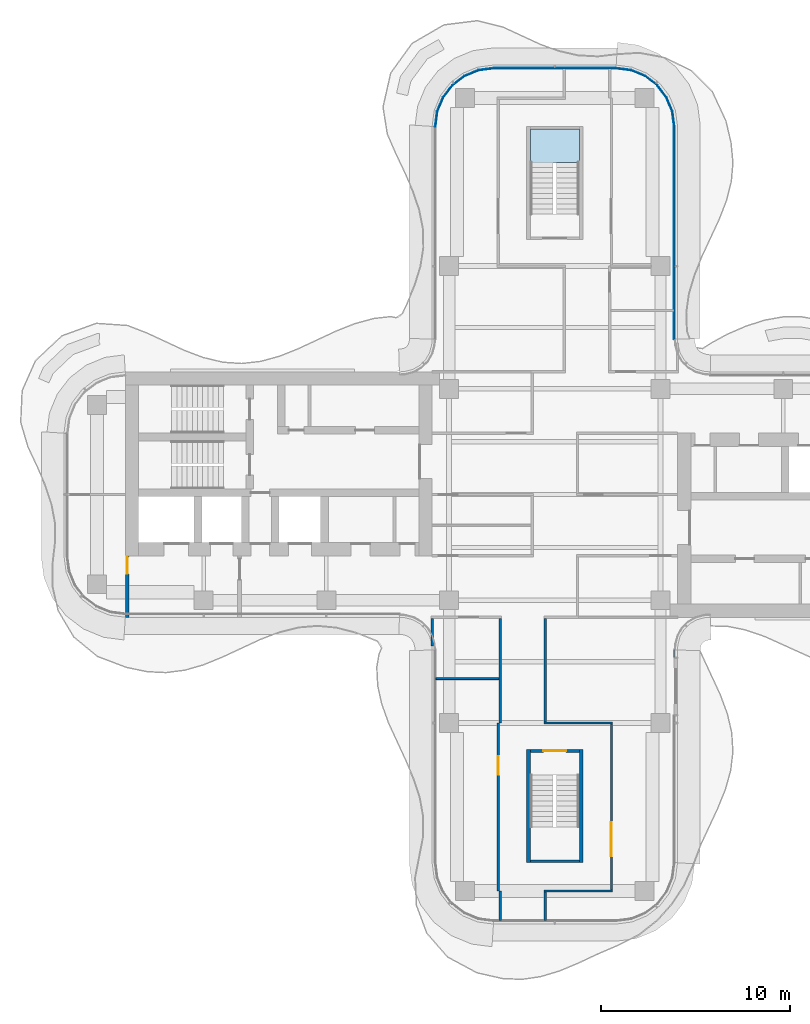
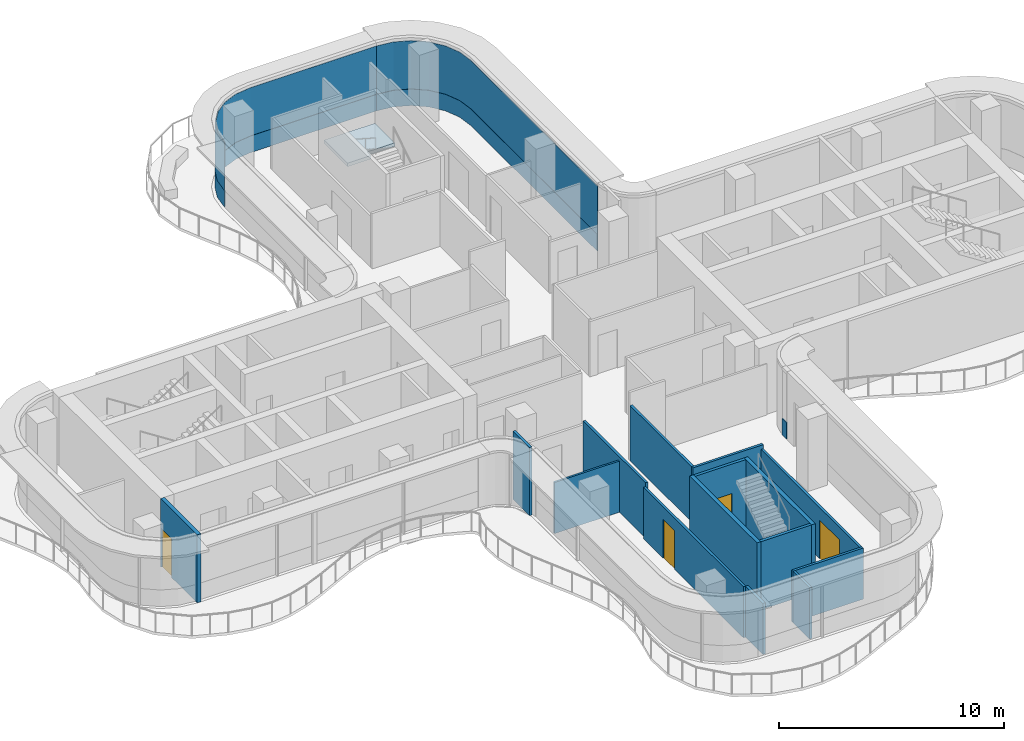
# One storey, part 11 of 17: 15 walls, 5 plates, 4 doors, 1 slab, 4 openings, 4 elements without a shape of their own.
"""IFC4 building model written with IfcOpenShell, lengths in metres."""

from ifc_helpers import new_model, si_unit, direction, frame, frame_2d, origin, place, context, subcontext, project, spatial, polyline, rectangle, outline, extrude, source, transform, mapped, material, layer, layer_set, type_object, element, fill, aggregate, save


model = new_model("IFC4")

# Units and contexts
model_context = context("Model", 3, precision=1e-05, world=origin(), true_north=direction((0.0, 1.0)))
body_context = subcontext(model_context, "Body", "Model", "MODEL_VIEW")
ifc_project = project(units=[si_unit("LENGTHUNIT", "METRE"), si_unit("AREAUNIT", "SQUARE_METRE"), si_unit("VOLUMEUNIT", "CUBIC_METRE"), si_unit("PLANEANGLEUNIT", "RADIAN"), si_unit("MASSUNIT", "GRAM", prefix="KILO")], contexts=[model_context])

# Site, building, storey
site_placement = place(None, origin())
site = spatial("IfcSite", under=ifc_project, at=site_placement, CompositionType="ELEMENT")
building_placement = place(site_placement, origin())
building = spatial("IfcBuilding", under=site, at=building_placement, Name="Trellis Farm Tower", CompositionType="ELEMENT")
storey_placement = place(building_placement, frame((0.0, 0.0, 283.300048828125)))
storey = spatial("IfcBuildingStorey", under=building, at=storey_placement, Name="L63", CompositionType="ELEMENT", Elevation=283.300048828125)

# Stair, slab
ifc_material_1 = material(Name="Concrete C50/60", Category="concrete")
stair_type = type_object("IfcStairType", Name="CORE EXIT STAIR 22 RISERS 177 MM", PredefinedType="HALF_TURN_STAIR", material=ifc_material_1)
placement_1 = place(storey_placement, origin())
stair = element("IfcStair", 1, at=placement_1, inside=storey, type_object=stair_type, Name="Exit stair N", PredefinedType="HALF_TURN_STAIR")
ifc_layer_1 = layer(ifc_material_1, 0.18994140625)
ifc_layer_set_1 = layer_set([ifc_layer_1], Name="CORE STAIR LANDING 190 CONCRETE C50/60")
slab_type = type_object("IfcSlabType", Name="CORE STAIR LANDING 190 CONCRETE C50/60", PredefinedType="LANDING", material=ifc_layer_set_1)
shared_shape_1 = source(origin(), body_context, "Body", "SweptSolid", [
    extrude(outline(polyline([(-0.10009765625, 17.27197265625), (-1.300048828125, 17.27197265625), (-1.300048828125, 17.60009765625), (-1.300048828125, 19.35009765625), (1.300048828125, 19.35009765625), (1.300048828125, 17.60009765625), (1.300048828125, 17.590087890625), (0.10009765625, 17.590087890625), (0.10009765625, 17.60009765625), (-0.10009765625, 17.60009765625), (-0.10009765625, 17.27197265625)])), origin(), (0.0, 0.0, 1.0), 0.18994140625),
])
slab_placement = place(storey_placement, frame((0.0, 0.0, 1.760009765625)))
slab = element("IfcSlab", 2, at=slab_placement, type_object=slab_type, Name="STN landing 1", PredefinedType="LANDING", context=body_context, shape_type="MappedRepresentation", body=[
    mapped(shared_shape_1, transform((0.0, 0.0, 0.0))),
])
aggregate(stair, [slab])

# Curtain wall, plate
ifc_material_2 = material(Name="Aluminium and glass curtain wall", Category="aluminium")
ifc_layer_2 = layer(ifc_material_2, 0.18994140625)
ifc_layer_set_2 = layer_set([ifc_layer_2], Name="RIBBON CURTAIN WALL CW1")
curtain_wall_type = type_object("IfcCurtainWallType", Name="RIBBON CURTAIN WALL CW1", PredefinedType="NOTDEFINED", material=ifc_layer_set_2)
curtain_wall_1 = element("IfcCurtainWall", 3, at=placement_1, inside=storey, type_object=curtain_wall_type, Name="CW1 005", PredefinedType="NOTDEFINED")
ifc_material_3 = material(Name="Sandstone faced insulated panel", Category="masonry")
ifc_layer_3 = layer(ifc_material_3, 0.050048828125)
ifc_layer_set_3 = layer_set([ifc_layer_3], Name="CW1 STONE SPANDREL PANEL 50")
plate_type_1 = type_object("IfcPlateType", Name="CW1 STONE SPANDREL PANEL 50", PredefinedType="CURTAIN_PANEL", material=ifc_layer_set_3)
shared_shape_2 = source(origin(), body_context, "Body", "SweptSolid", [
    extrude(outline(polyline([(6.35009765625, -8.605712890625), (6.35009765625, -8.2265625), (6.300048828125, -8.224853515625), (6.300048828125, -8.605712890625), (6.35009765625, -8.605712890625)])), origin(), (0.0, 0.0, 1.0), 0.89990234375),
])
plate_1 = element("IfcPlate", 4, at=placement_1, type_object=plate_type_1, Name="PS1 005", PredefinedType="CURTAIN_PANEL", context=body_context, shape_type="MappedRepresentation", body=[
    mapped(shared_shape_2, transform((0.0, 0.0, 0.0))),
])
aggregate(curtain_wall_1, [plate_1])

# Curtain wall, plates
curtain_wall_2 = element("IfcCurtainWall", 5, at=placement_1, inside=storey, type_object=curtain_wall_type, Name="CW1 009", PredefinedType="NOTDEFINED")
ifc_material_4 = material(Name="Clear insulated glass", Category="glass")
ifc_layer_4 = layer(ifc_material_4, 0.0400390625)
ifc_layer_set_4 = layer_set([ifc_layer_4], Name="CW1 GLASS PANEL 40")
plate_type_2 = type_object("IfcPlateType", Name="CW1 GLASS PANEL 40", PredefinedType="CURTAIN_PANEL", material=ifc_layer_set_4)
shared_shape_3 = source(origin(), body_context, "Body", "SweptSolid", [
    extrude(outline(polyline([(6.35009765625, 8.2265625), (6.35009765625, 19.490234375), (6.2431640625, 20.302001953125), (5.93359375, 21.04931640625), (5.441162109375, 21.691162109375), (4.79931640625, 22.18359375), (4.052001953125, 22.4931640625), (3.240234375, 22.60009765625), (3.237548828125, 22.56005859375), (4.04150390625, 22.4541015625), (4.779296875, 22.148681640625), (5.41259765625, 21.66259765625), (5.898681640625, 21.029296875), (6.2041015625, 20.29150390625), (6.31005859375, 19.487548828125), (6.31005859375, 8.22509765625), (6.35009765625, 8.2265625)])), origin(), (0.0, 0.0, 1.0), 2.6201171875),
])
placement_2 = place(storey_placement, frame((0.0, 0.0, 0.89990234375)))
plate_2 = element("IfcPlate", 6, at=placement_2, type_object=plate_type_2, Name="PL1 009", PredefinedType="CURTAIN_PANEL", context=body_context, shape_type="MappedRepresentation", body=[
    mapped(shared_shape_3, transform((0.0, 0.0, 0.0))),
])
shared_shape_4 = source(origin(), body_context, "Body", "SweptSolid", [
    extrude(outline(polyline([(6.35009765625, 8.2265625), (6.35009765625, 19.490234375), (6.2431640625, 20.302001953125), (5.93359375, 21.04931640625), (5.441162109375, 21.691162109375), (4.79931640625, 22.18359375), (4.052001953125, 22.4931640625), (3.240234375, 22.60009765625), (3.23681640625, 22.550048828125), (4.0390625, 22.4443359375), (4.774169921875, 22.139892578125), (5.405517578125, 21.655517578125), (5.889892578125, 21.024169921875), (6.1943359375, 20.2890625), (6.300048828125, 19.48681640625), (6.300048828125, 8.224853515625), (6.35009765625, 8.2265625)])), origin(), (0.0, 0.0, 1.0), 0.89990234375),
])
plate_3 = element("IfcPlate", 7, at=placement_1, type_object=plate_type_1, Name="PS1 009", PredefinedType="CURTAIN_PANEL", context=body_context, shape_type="MappedRepresentation", body=[
    mapped(shared_shape_4, transform((0.0, 0.0, 0.0))),
])
aggregate(curtain_wall_2, [plate_2, plate_3])

curtain_wall_3 = element("IfcCurtainWall", 8, at=placement_1, inside=storey, type_object=curtain_wall_type, Name="CW1 010", PredefinedType="NOTDEFINED")
shared_shape_5 = source(origin(), body_context, "Body", "SweptSolid", [
    extrude(outline(polyline([(3.240234375, 22.60009765625), (-3.240234375, 22.60009765625), (-4.052001953125, 22.4931640625), (-4.79931640625, 22.18359375), (-5.441162109375, 21.691162109375), (-5.93359375, 21.04931640625), (-6.2431640625, 20.302001953125), (-6.35009765625, 19.490234375), (-6.31005859375, 19.487548828125), (-6.2041015625, 20.29150390625), (-5.898681640625, 21.029296875), (-5.41259765625, 21.66259765625), (-4.779296875, 22.148681640625), (-4.04150390625, 22.4541015625), (-3.237548828125, 22.56005859375), (3.237548828125, 22.56005859375), (3.240234375, 22.60009765625)])), origin(), (0.0, 0.0, 1.0), 2.6201171875),
])
plate_4 = element("IfcPlate", 9, at=placement_2, type_object=plate_type_2, Name="PL1 010", PredefinedType="CURTAIN_PANEL", context=body_context, shape_type="MappedRepresentation", body=[
    mapped(shared_shape_5, transform((0.0, 0.0, 0.0))),
])
shared_shape_6 = source(origin(), body_context, "Body", "SweptSolid", [
    extrude(outline(polyline([(3.240234375, 22.60009765625), (-3.240234375, 22.60009765625), (-4.052001953125, 22.4931640625), (-4.79931640625, 22.18359375), (-5.441162109375, 21.691162109375), (-5.93359375, 21.04931640625), (-6.2431640625, 20.302001953125), (-6.35009765625, 19.490234375), (-6.300048828125, 19.48681640625), (-6.1943359375, 20.2890625), (-5.889892578125, 21.024169921875), (-5.405517578125, 21.655517578125), (-4.774169921875, 22.139892578125), (-4.0390625, 22.4443359375), (-3.23681640625, 22.550048828125), (3.23681640625, 22.550048828125), (3.240234375, 22.60009765625)])), origin(), (0.0, 0.0, 1.0), 0.89990234375),
])
plate_5 = element("IfcPlate", 10, at=placement_1, type_object=plate_type_1, Name="PS1 010", PredefinedType="CURTAIN_PANEL", context=body_context, shape_type="MappedRepresentation", body=[
    mapped(shared_shape_6, transform((0.0, 0.0, 0.0))),
])
aggregate(curtain_wall_3, [plate_4, plate_5])

# Wall, opening, door
ifc_material_5 = material(Name="Masonry blockwork", Category="masonry")
ifc_layer_5 = layer(ifc_material_5, 0.199951171875)
ifc_layer_set_5 = layer_set([ifc_layer_5], Name="FIRE LOBBY PARTITION 200 BLOCKWORK")
wall_type_1 = type_object("IfcWallType", Name="FIRE LOBBY PARTITION 200 BLOCKWORK", PredefinedType="PARTITIONING", material=ifc_layer_set_5)
shared_shape_7 = source(origin(), body_context, "Body", "SweptSolid", [
    extrude(rectangle(XDim=3.25, YDim=0.199951171875, at=frame_2d((1.625, 0.0))), origin(), (0.0, 0.0, 1.0), 3.699951171875),
])
wall_1_placement = place(storey_placement, frame((-22.64990234375, -3.25, 0.0), z_axis=(0.0, 0.0, 1.0), x_axis=(0.0, -1.0, 0.0)))
wall_1 = element("IfcWall", 11, at=wall_1_placement, inside=storey, type_object=wall_type_1, Name="Fire-fighting lobby partition", PredefinedType="PARTITIONING", context=body_context, shape_type="MappedRepresentation", body=[
    mapped(shared_shape_7, transform((0.0, 0.0, 0.0))),
])
shared_shape_8 = source(origin(), body_context, "Body", "SweptSolid", [
    extrude(rectangle(XDim=0.89990234375, YDim=2.10009765625, at=frame_2d((0.449951171875, 1.050048828125))), frame((0.0, 0.110107421875, 0.0), z_axis=(0.0, -1.0, 0.0), x_axis=(1.0, 0.0, 0.0)), (0.0, 0.0, 1.0), 0.22021484375),
])
opening_1_placement = place(wall_1_placement, frame((0.050048828125, 0.0, 0.0)))
opening_1 = element("IfcOpeningElement", 12, at=opening_1_placement, cuts=wall_1, Name="Opening DC94", PredefinedType="OPENING", context=body_context, shape_type="MappedRepresentation", body=[
    mapped(shared_shape_8, transform((0.0, 0.0, 0.0))),
])
ifc_material_6 = material(Name="Steel", Category="steel")
door_type_1 = type_object("IfcDoorType", Name="CORE FIRE DOOR 900 X 2100", OperationType="NOTDEFINED", PredefinedType="DOOR", material=ifc_material_6)
shared_shape_9 = source(origin(), body_context, "Body", "SweptSolid", [
    extrude(rectangle(XDim=0.89990234375, YDim=2.10009765625, at=frame_2d((0.449951171875, 1.050048828125))), frame((0.0, 0.02490234375, 0.0), z_axis=(0.0, -1.0, 0.0), x_axis=(1.0, 0.0, 0.0)), (0.0, 0.0, 1.0), 0.050048828125),
])
door_1_placement = place(opening_1_placement, origin())
door_1 = element("IfcDoor", 13, at=door_1_placement, inside=storey, type_object=door_type_1, Name="Core door", OperationType="SINGLE_SWING_RIGHT", OverallHeight=2.10009765625, OverallWidth=0.89990234375, PredefinedType="DOOR", context=body_context, shape_type="MappedRepresentation", body=[
    mapped(shared_shape_9, transform((0.0, 0.0, 0.0))),
])
fill(opening_1, door_1)

# Walls
ifc_layer_6 = layer(ifc_material_1, 0.199951171875)
ifc_layer_set_6 = layer_set([ifc_layer_6], Name="CORE STAIR ENCLOSURE WALL 200 CONCRETE C50/60")
wall_type_2 = type_object("IfcWallType", Name="CORE STAIR ENCLOSURE WALL 200 CONCRETE C50/60", PredefinedType="SHEAR", material=ifc_layer_set_6)
shared_shape_10 = source(origin(), body_context, "Body", "SweptSolid", [
    extrude(rectangle(XDim=6.0, YDim=0.199951171875, at=frame_2d((3.0, 0.0))), origin(), (0.0, 0.0, 1.0), 3.699951171875),
])
for number, where, z_axis, x_axis, name in (
    (14, (1.39990234375, -13.5, 0.0), (0.0, 0.0, 1.0), (0.0, -1.0, 0.0), "Stair enclosure wall"),
    (15, (-1.39990234375, -13.5, 0.0), (0.0, 0.0, 1.0), (0.0, -1.0, 0.0), "Stair enclosure wall"),
):
    element("IfcWall", number, at=place(storey_placement, frame(where, z_axis=z_axis, x_axis=x_axis)), inside=storey, type_object=wall_type_2, Name=name, PredefinedType="SHEAR", context=body_context, shape_type="MappedRepresentation", body=[
        mapped(shared_shape_10, transform((0.0, 0.0, 0.0))),
    ])

# Wall, opening, door
ifc_layer_7 = layer(ifc_material_1, 0.14990234375)
ifc_layer_set_7 = layer_set([ifc_layer_7], Name="CORE STAIR ENCLOSURE WALL 150 CONCRETE C50/60")
wall_type_3 = type_object("IfcWallType", Name="CORE STAIR ENCLOSURE WALL 150 CONCRETE C50/60", PredefinedType="SHEAR", material=ifc_layer_set_7)
shared_shape_11 = source(origin(), body_context, "Body", "SweptSolid", [
    extrude(rectangle(XDim=2.60009765625, YDim=0.14990234375, at=frame_2d((1.300048828125, 0.0))), origin(), (0.0, 0.0, 1.0), 3.699951171875),
])
wall_2_placement = place(storey_placement, frame((1.300048828125, -13.574951171875, 0.0), z_axis=(0.0, 0.0, 1.0), x_axis=(-1.0, 0.0, 0.0)))
wall_2 = element("IfcWall", 16, at=wall_2_placement, inside=storey, type_object=wall_type_3, Name="Stair enclosure wall", PredefinedType="SHEAR", context=body_context, shape_type="MappedRepresentation", body=[
    mapped(shared_shape_11, transform((0.0, 0.0, 0.0))),
])
shared_shape_12 = source(origin(), body_context, "Body", "SweptSolid", [
    extrude(rectangle(XDim=1.199951171875, YDim=2.10009765625, at=frame_2d((0.60009765625, 1.050048828125))), frame((0.0, 0.0849609375, 0.0), z_axis=(0.0, -1.0, 0.0), x_axis=(1.0, 0.0, 0.0)), (0.0, 0.0, 1.0), 0.169921875),
])
opening_2_placement = place(wall_2_placement, frame((0.699951171875, 0.0, 0.0)))
opening_2 = element("IfcOpeningElement", 17, at=opening_2_placement, cuts=wall_2, Name="Opening DC174", PredefinedType="OPENING", context=body_context, shape_type="MappedRepresentation", body=[
    mapped(shared_shape_12, transform((0.0, 0.0, 0.0))),
])
door_type_2 = type_object("IfcDoorType", Name="CORE FIRE DOOR 1200 X 2100", OperationType="NOTDEFINED", PredefinedType="DOOR", material=ifc_material_6)
shared_shape_13 = source(origin(), body_context, "Body", "SweptSolid", [
    extrude(rectangle(XDim=1.199951171875, YDim=2.10009765625, at=frame_2d((0.60009765625, 1.050048828125))), frame((0.0, 0.02490234375, 0.0), z_axis=(0.0, -1.0, 0.0), x_axis=(1.0, 0.0, 0.0)), (0.0, 0.0, 1.0), 0.050048828125),
])
door_2_placement = place(opening_2_placement, origin())
door_2 = element("IfcDoor", 18, at=door_2_placement, inside=storey, type_object=door_type_2, Name="Core door", OperationType="SINGLE_SWING_RIGHT", OverallHeight=2.10009765625, OverallWidth=1.199951171875, PredefinedType="DOOR", context=body_context, shape_type="MappedRepresentation", body=[
    mapped(shared_shape_13, transform((0.0, 0.0, 0.0))),
])
fill(opening_2, door_2)

# Walls
wall_3_placement = place(storey_placement, frame((1.300048828125, -19.425048828125, 0.0), z_axis=(0.0, 0.0, 1.0), x_axis=(-1.0, 0.0, 0.0)))
element("IfcWall", 19, at=wall_3_placement, inside=storey, type_object=wall_type_3, Name="Stair enclosure wall", PredefinedType="SHEAR", context=body_context, shape_type="MappedRepresentation", body=[
    mapped(shared_shape_11, transform((0.0, 0.0, 0.0))),
])
ifc_material_7 = material(Name="Plasterboard on steel studs, mineral wool", Category="steel")
ifc_layer_8 = layer(ifc_material_7, 0.125)
ifc_layer_set_8 = layer_set([ifc_layer_8], Name="PARTITION 125 STUD EI 60")
wall_type_4 = type_object("IfcWallType", Name="PARTITION 125 STUD EI 60", PredefinedType="PARTITIONING", material=ifc_layer_set_8)
shared_shape_14 = source(origin(), body_context, "Body", "SweptSolid", [
    extrude(rectangle(XDim=5.47509765625, YDim=0.125, at=frame_2d((2.737548828125, 0.0))), origin(), (0.0, 0.0, 1.0), 2.99658203125),
])
wall_4_placement = place(storey_placement, frame((-0.5, -6.5625, 0.0), z_axis=(0.0, 0.0, 1.0), x_axis=(0.0, -1.0, 0.0)))
element("IfcWall", 20, at=wall_4_placement, inside=storey, type_object=wall_type_4, Name="Partition PW1", PredefinedType="PARTITIONING", context=body_context, shape_type="MappedRepresentation", body=[
    mapped(shared_shape_14, transform((0.0, 0.0, 0.0))),
])
shared_shape_15 = source(origin(), body_context, "Body", "SweptSolid", [
    extrude(rectangle(XDim=5.53759765625, YDim=0.125, at=frame_2d((2.768798828125, 0.0))), origin(), (0.0, 0.0, 1.0), 2.99658203125),
])
wall_5_placement = place(storey_placement, frame((-2.89990234375, -12.10009765625, 0.0), z_axis=(0.0, 0.0, 1.0), x_axis=(0.0, 1.0, 0.0)))
element("IfcWall", 21, at=wall_5_placement, inside=storey, type_object=wall_type_4, Name="Partition PW1", PredefinedType="PARTITIONING", context=body_context, shape_type="MappedRepresentation", body=[
    mapped(shared_shape_15, transform((0.0, 0.0, 0.0))),
])
shared_shape_16 = source(origin(), body_context, "Body", "SweptSolid", [
    extrude(rectangle(XDim=1.468994140625, YDim=0.125, at=frame_2d((0.734375, 0.0))), origin(), (0.0, 0.0, 1.0), 3.699951171875),
])
wall_6_placement = place(storey_placement, frame((-6.5, -6.5625, 0.0), z_axis=(0.0, 0.0, 1.0), x_axis=(0.0, -1.0, 0.0)))
element("IfcWall", 22, at=wall_6_placement, inside=storey, type_object=wall_type_4, Name="Partition PW1", PredefinedType="PARTITIONING", context=body_context, shape_type="MappedRepresentation", body=[
    mapped(shared_shape_16, transform((0.0, 0.0, 0.0))),
])
shared_shape_17 = source(origin(), body_context, "Body", "SweptSolid", [
    extrude(rectangle(XDim=3.625, YDim=0.125, at=frame_2d((1.8125, 0.0))), origin(), (0.0, 0.0, 1.0), 2.99658203125),
])
wall_7_placement = place(storey_placement, frame((-0.5625, -12.10009765625, 0.0), z_axis=(0.0, 0.0, 1.0), x_axis=(1.0, 0.0, 0.0)))
element("IfcWall", 23, at=wall_7_placement, inside=storey, type_object=wall_type_4, Name="Partition PW1", PredefinedType="PARTITIONING", context=body_context, shape_type="MappedRepresentation", body=[
    mapped(shared_shape_17, transform((0.0, 0.0, 0.0))),
])

# Wall, opening, door
shared_shape_18 = source(origin(), body_context, "Body", "SweptSolid", [
    extrude(rectangle(XDim=8.77490234375, YDim=0.125, at=frame_2d((4.387451171875, 0.0))), origin(), (0.0, 0.0, 1.0), 2.780029296875),
])
wall_8_placement = place(storey_placement, frame((3.0, -12.16259765625, 0.0), z_axis=(0.0, 0.0, 1.0), x_axis=(0.0, -1.0, 0.0)))
wall_8 = element("IfcWall", 24, at=wall_8_placement, inside=storey, type_object=wall_type_4, Name="Partition PW1", PredefinedType="PARTITIONING", context=body_context, shape_type="MappedRepresentation", body=[
    mapped(shared_shape_18, transform((0.0, 0.0, 0.0))),
])
shared_shape_19 = source(origin(), body_context, "Body", "SweptSolid", [
    extrude(rectangle(XDim=1.800048828125, YDim=2.10009765625, at=frame_2d((0.89990234375, 1.050048828125))), frame((0.0, 0.072509765625, 0.0), z_axis=(0.0, -1.0, 0.0), x_axis=(1.0, 0.0, 0.0)), (0.0, 0.0, 1.0), 0.14501953125),
])
opening_3_placement = place(wall_8_placement, frame((5.1875, 0.0, 0.0)))
opening_3 = element("IfcOpeningElement", 25, at=opening_3_placement, cuts=wall_8, Name="Opening D201", PredefinedType="OPENING", context=body_context, shape_type="MappedRepresentation", body=[
    mapped(shared_shape_19, transform((0.0, 0.0, 0.0))),
])
ifc_material_8 = material(Name="Fire-rated timber door leaf in a hollow metal frame", Category="wood")
door_type_3 = type_object("IfcDoorType", Name="DOOR PAIR 1800x2100 FD30S", OperationType="NOTDEFINED", PredefinedType="DOOR", material=ifc_material_8)
shared_shape_20 = source(origin(), body_context, "Body", "SweptSolid", [
    extrude(rectangle(XDim=1.800048828125, YDim=2.10009765625, at=frame_2d((0.89990234375, 1.050048828125))), frame((0.0, 0.02490234375, 0.0), z_axis=(0.0, -1.0, 0.0), x_axis=(1.0, 0.0, 0.0)), (0.0, 0.0, 1.0), 0.050048828125),
])
door_3_placement = place(opening_3_placement, origin())
door_3 = element("IfcDoor", 26, at=door_3_placement, inside=storey, type_object=door_type_3, Name="Door D201", OperationType="DOUBLE_DOOR_SINGLE_SWING", OverallHeight=2.10009765625, OverallWidth=1.800048828125, PredefinedType="DOOR", context=body_context, shape_type="MappedRepresentation", body=[
    mapped(shared_shape_20, transform((0.0, 0.0, 0.0))),
])
fill(opening_3, door_3)

# Walls
shared_shape_21 = source(origin(), body_context, "Body", "SweptSolid", [
    extrude(rectangle(XDim=1.487548828125, YDim=0.125, at=frame_2d((0.74365234375, 0.0))), origin(), (0.0, 0.0, 1.0), 2.780029296875),
])
wall_9_placement = place(storey_placement, frame((-0.5, -21.0625, 0.0), z_axis=(0.0, 0.0, 1.0), x_axis=(0.0, -1.0, 0.0)))
element("IfcWall", 27, at=wall_9_placement, inside=storey, type_object=wall_type_4, Name="Partition PW1", PredefinedType="PARTITIONING", context=body_context, shape_type="MappedRepresentation", body=[
    mapped(shared_shape_21, transform((0.0, 0.0, 0.0))),
])
shared_shape_22 = source(origin(), body_context, "Body", "SweptSolid", [
    extrude(rectangle(XDim=1.550048828125, YDim=0.125, at=frame_2d((0.77490234375, 0.0))), origin(), (0.0, 0.0, 1.0), 2.780029296875),
])
wall_10_placement = place(storey_placement, frame((-2.89990234375, -22.550048828125, 0.0), z_axis=(0.0, 0.0, 1.0), x_axis=(0.0, 1.0, 0.0)))
element("IfcWall", 28, at=wall_10_placement, inside=storey, type_object=wall_type_4, Name="Partition PW1", PredefinedType="PARTITIONING", context=body_context, shape_type="MappedRepresentation", body=[
    mapped(shared_shape_22, transform((0.0, 0.0, 0.0))),
])

# Wall, opening, door
shared_shape_23 = source(origin(), body_context, "Body", "SweptSolid", [
    extrude(rectangle(XDim=8.89990234375, YDim=0.125, at=frame_2d((4.449951171875, 0.0))), origin(), (0.0, 0.0, 1.0), 2.780029296875),
])
wall_11_placement = place(storey_placement, frame((-3.0, -21.0, 0.0), z_axis=(0.0, 0.0, 1.0), x_axis=(0.0, 1.0, 0.0)))
wall_11 = element("IfcWall", 29, at=wall_11_placement, inside=storey, type_object=wall_type_4, Name="Partition PW1", PredefinedType="PARTITIONING", context=body_context, shape_type="MappedRepresentation", body=[
    mapped(shared_shape_23, transform((0.0, 0.0, 0.0))),
])
shared_shape_24 = source(origin(), body_context, "Body", "SweptSolid", [
    extrude(rectangle(XDim=1.0, YDim=2.10009765625, at=frame_2d((0.5, 1.050048828125))), frame((0.0, 0.072509765625, 0.0), z_axis=(0.0, -1.0, 0.0), x_axis=(1.0, 0.0, 0.0)), (0.0, 0.0, 1.0), 0.14501953125),
])
opening_4_placement = place(wall_11_placement, frame((6.14990234375, 0.0, 0.0)))
opening_4 = element("IfcOpeningElement", 30, at=opening_4_placement, cuts=wall_11, Name="Opening D101", PredefinedType="OPENING", context=body_context, shape_type="MappedRepresentation", body=[
    mapped(shared_shape_24, transform((0.0, 0.0, 0.0))),
])
door_type_4 = type_object("IfcDoorType", Name="DOOR 1000x2100 FD30S", OperationType="NOTDEFINED", PredefinedType="DOOR", material=ifc_material_8)
shared_shape_25 = source(origin(), body_context, "Body", "SweptSolid", [
    extrude(rectangle(XDim=1.0, YDim=2.10009765625, at=frame_2d((0.5, 1.050048828125))), frame((0.0, 0.02490234375, 0.0), z_axis=(0.0, -1.0, 0.0), x_axis=(1.0, 0.0, 0.0)), (0.0, 0.0, 1.0), 0.050048828125),
])
door_4_placement = place(opening_4_placement, origin())
door_4 = element("IfcDoor", 31, at=door_4_placement, inside=storey, type_object=door_type_4, Name="Door D101", OperationType="SINGLE_SWING_RIGHT", OverallHeight=2.10009765625, OverallWidth=1.0, PredefinedType="DOOR", context=body_context, shape_type="MappedRepresentation", body=[
    mapped(shared_shape_25, transform((0.0, 0.0, 0.0))),
])
fill(opening_4, door_4)

# Walls
shared_shape_26 = source(origin(), body_context, "Body", "SweptSolid", [
    extrude(rectangle(XDim=3.625, YDim=0.125, at=frame_2d((1.8125, 0.0))), origin(), (0.0, 0.0, 1.0), 2.780029296875),
])
wall_12_placement = place(storey_placement, frame((3.0625, -21.0, 0.0), z_axis=(0.0, 0.0, 1.0), x_axis=(-1.0, 0.0, 0.0)))
element("IfcWall", 32, at=wall_12_placement, inside=storey, type_object=wall_type_4, Name="Partition PW1", PredefinedType="PARTITIONING", context=body_context, shape_type="MappedRepresentation", body=[
    mapped(shared_shape_26, transform((0.0, 0.0, 0.0))),
])
ifc_material_9 = material(Name="Plasterboard on steel studs", Category="steel")
ifc_layer_9 = layer(ifc_material_9, 0.10009765625)
ifc_layer_set_9 = layer_set([ifc_layer_9], Name="PARTITION 100 STUD EI 30")
wall_type_5 = type_object("IfcWallType", Name="PARTITION 100 STUD EI 30", PredefinedType="PARTITIONING", material=ifc_layer_set_9)
shared_shape_27 = source(origin(), body_context, "Body", "SweptSolid", [
    extrude(rectangle(XDim=3.337646484375, YDim=0.10009765625, at=frame_2d((1.6689453125, 0.0))), origin(), (0.0, 0.0, 1.0), 2.780029296875),
])
wall_13_placement = place(storey_placement, frame((-6.300048828125, -9.75, 0.0), z_axis=(0.0, 0.0, 1.0), x_axis=(1.0, 0.0, 0.0)))
element("IfcWall", 33, at=wall_13_placement, inside=storey, type_object=wall_type_5, Name="Partition PW2", PredefinedType="PARTITIONING", context=body_context, shape_type="MappedRepresentation", body=[
    mapped(shared_shape_27, transform((0.0, 0.0, 0.0))),
])

save(model, "model.ifc")
